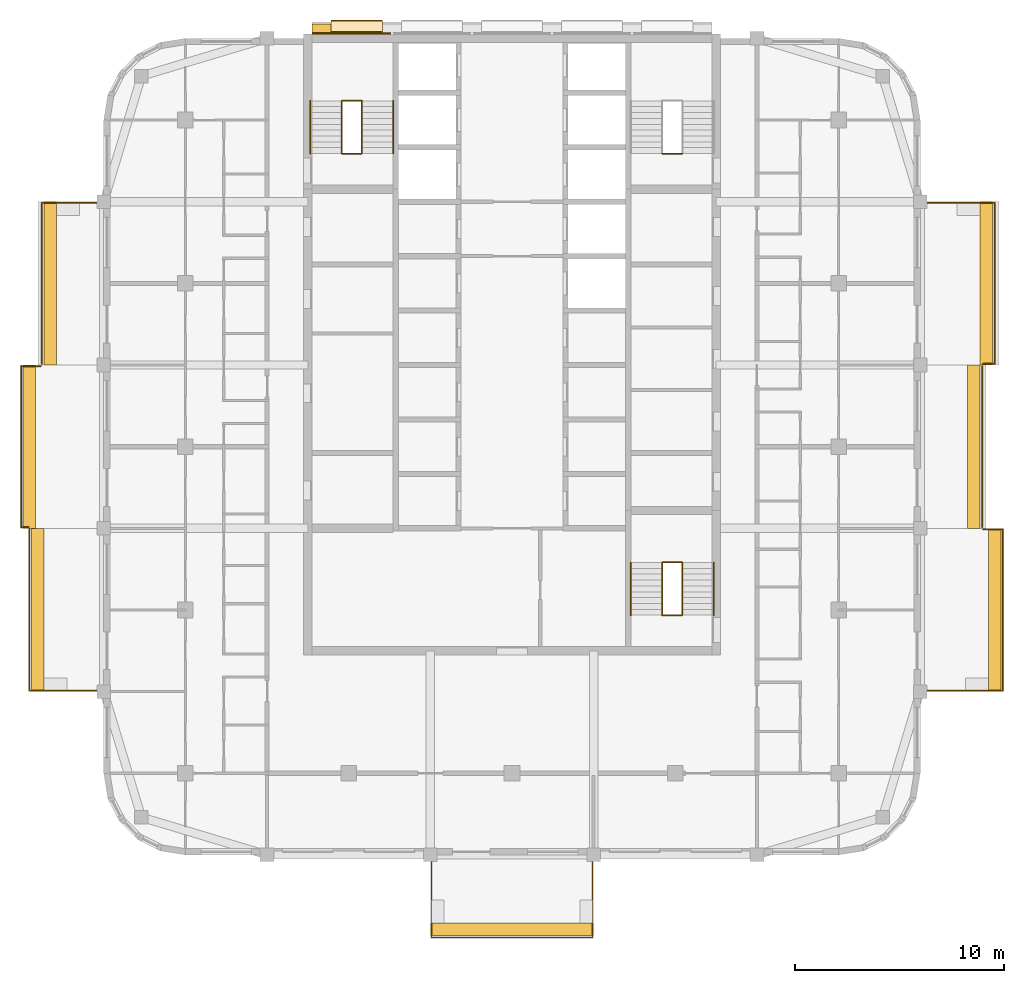
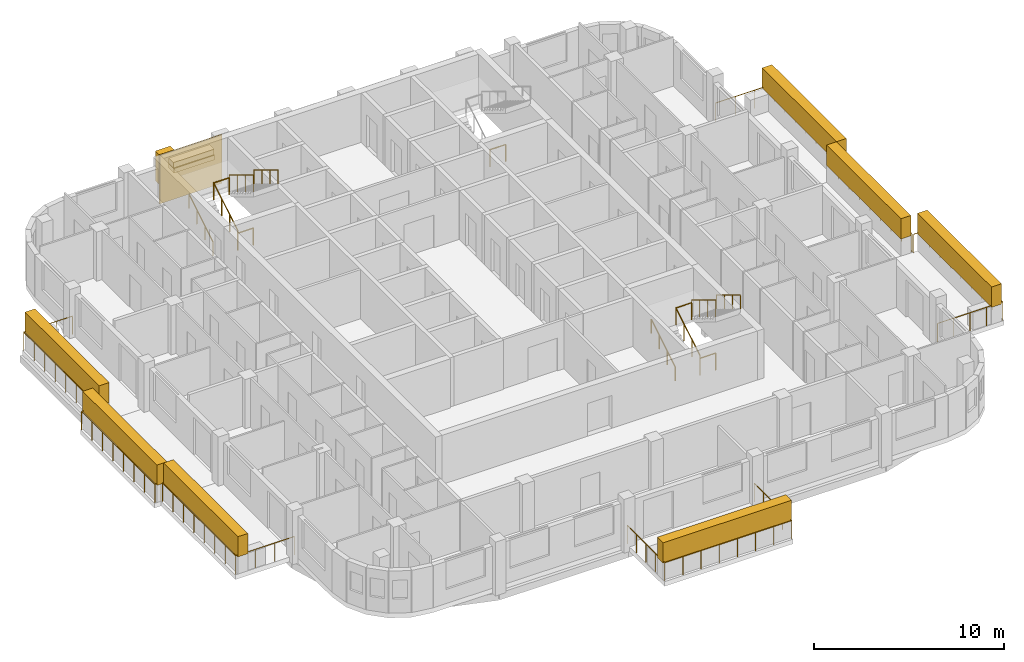
# One storey, part 12 of 13: 20 railings, 11 coverings, 3 elements without a shape of their own.
"""IFC4 building model written with IfcOpenShell, lengths in metres."""

from ifc_helpers import new_model, si_unit, direction, frame, origin, origin_2d, place, context, subcontext, project, spatial, rectangle, circle, extrude, material, layer, layer_set, type_object, element, aggregate, save


model = new_model("IFC4")

# Units and contexts
model_context = context("Model", 3, precision=1e-05, world=origin(), true_north=direction((0.0, 1.0)))
body_context = subcontext(model_context, "Body", "Model", "MODEL_VIEW")
ifc_project = project(units=[si_unit("LENGTHUNIT", "METRE"), si_unit("AREAUNIT", "SQUARE_METRE"), si_unit("VOLUMEUNIT", "CUBIC_METRE"), si_unit("PLANEANGLEUNIT", "RADIAN"), si_unit("MASSUNIT", "GRAM", prefix="KILO")], contexts=[model_context])

# Site, building, storey
site_placement = place(None, origin())
site = spatial("IfcSite", under=ifc_project, at=site_placement, CompositionType="ELEMENT")
building_placement = place(site_placement, origin())
building = spatial("IfcBuilding", under=site, at=building_placement, Name="Ludao Terraces", CompositionType="ELEMENT")
storey_placement = place(building_placement, frame((0.0, 0.0, 246.0)))
storey = spatial("IfcBuildingStorey", under=building, at=storey_placement, Name="L67", CompositionType="ELEMENT", Elevation=246.0)

# Railings
ifc_material_1 = material(Name="Stainless steel 304", Category="steel")
railing_type_1 = type_object("IfcRailingType", Name="ENV Balcony glass guard 1200", PredefinedType="GUARDRAIL", material=ifc_material_1)
railing_1_placement = place(storey_placement, frame((81.14990234375, 45.5, 0.0)))
element("IfcRailing", 1, at=railing_1_placement, inside=storey, type_object=railing_type_1, Name="Balcony guard L67 S1", PredefinedType="GUARDRAIL", context=body_context, shape_type="SweptSolid", body=[
    extrude(circle(Radius=0.02392578125, at=origin_2d()), frame((0.0, 0.0, 1.17578125), z_axis=(0.0, -1.0, 0.0), x_axis=(1.0, 0.0, 0.0)), (0.0, 0.0, 1.0), 3.949951171875),
    extrude(circle(Radius=0.02392578125, at=origin_2d()), frame((0.0, -3.949951171875, 1.17578125), z_axis=(1.0, 0.0, 0.0), x_axis=(0.0, 1.0, 0.0)), (0.0, 0.0, 1.0), 7.7001953125),
    extrude(circle(Radius=0.02392578125, at=origin_2d()), frame((7.7001953125, -3.949951171875, 1.17578125), z_axis=(0.0, 1.0, 0.0), x_axis=(-1.0, 0.0, 0.0)), (0.0, 0.0, 1.0), 3.949951171875),
    extrude(circle(Radius=0.02099609375, at=origin_2d()), origin(), (0.0, 0.0, 1.0), 1.15185546875),
    extrude(circle(Radius=0.02099609375, at=origin_2d()), frame((0.0, -0.987548828125, 0.0)), (0.0, 0.0, 1.0), 1.15185546875),
    extrude(circle(Radius=0.02099609375, at=origin_2d()), frame((0.0, -1.97509765625, 0.0)), (0.0, 0.0, 1.0), 1.15185546875),
    extrude(circle(Radius=0.02099609375, at=origin_2d()), frame((0.0, -2.96240234375, 0.0)), (0.0, 0.0, 1.0), 1.15185546875),
    extrude(circle(Radius=0.02099609375, at=origin_2d()), frame((0.0, -3.949951171875, 0.0)), (0.0, 0.0, 1.0), 1.15185546875),
    extrude(circle(Radius=0.02099609375, at=origin_2d()), frame((1.10009765625, -3.949951171875, 0.0)), (0.0, 0.0, 1.0), 1.15185546875),
    extrude(circle(Radius=0.02099609375, at=origin_2d()), frame((2.199951171875, -3.949951171875, 0.0)), (0.0, 0.0, 1.0), 1.15185546875),
    extrude(circle(Radius=0.02099609375, at=origin_2d()), frame((3.300048828125, -3.949951171875, 0.0)), (0.0, 0.0, 1.0), 1.15185546875),
    extrude(circle(Radius=0.02099609375, at=origin_2d()), frame((4.400146484375, -3.949951171875, 0.0)), (0.0, 0.0, 1.0), 1.15185546875),
    extrude(circle(Radius=0.02099609375, at=origin_2d()), frame((5.500244140625, -3.949951171875, 0.0)), (0.0, 0.0, 1.0), 1.15185546875),
    extrude(circle(Radius=0.02099609375, at=origin_2d()), frame((6.60009765625, -3.949951171875, 0.0)), (0.0, 0.0, 1.0), 1.15185546875),
    extrude(circle(Radius=0.02099609375, at=origin_2d()), frame((7.7001953125, -3.949951171875, 0.0)), (0.0, 0.0, 1.0), 1.15185546875),
    extrude(circle(Radius=0.02099609375, at=origin_2d()), frame((7.7001953125, -2.96240234375, 0.0)), (0.0, 0.0, 1.0), 1.15185546875),
    extrude(circle(Radius=0.02099609375, at=origin_2d()), frame((7.7001953125, -1.97509765625, 0.0)), (0.0, 0.0, 1.0), 1.15185546875),
    extrude(circle(Radius=0.02099609375, at=origin_2d()), frame((7.7001953125, -0.987548828125, 0.0)), (0.0, 0.0, 1.0), 1.15185546875),
    extrude(circle(Radius=0.02099609375, at=origin_2d()), frame((7.7001953125, 0.0, 0.0)), (0.0, 0.0, 1.0), 1.15185546875),
])
railing_2_placement = place(storey_placement, frame((104.5, 53.35009765625, 0.0)))
element("IfcRailing", 2, at=railing_2_placement, inside=storey, type_object=railing_type_1, Name="Balcony guard L67 E1", PredefinedType="GUARDRAIL", context=body_context, shape_type="SweptSolid", body=[
    extrude(circle(Radius=0.02392578125, at=origin_2d()), frame((0.0, 0.0, 1.17578125), z_axis=(1.0, 0.0, 0.0), x_axis=(0.0, 1.0, 0.0)), (0.0, 0.0, 1.0), 3.949951171875),
    extrude(circle(Radius=0.02392578125, at=origin_2d()), frame((3.949951171875, 0.0, 1.17578125), z_axis=(0.0, 1.0, 0.0), x_axis=(-1.0, 0.0, 0.0)), (0.0, 0.0, 1.0), 7.699951171875),
    extrude(circle(Radius=0.02392578125, at=origin_2d()), frame((3.949951171875, 7.699951171875, 1.17578125), z_axis=(-1.0, 0.0, 0.0), x_axis=(0.0, -1.0, 0.0)), (0.0, 0.0, 1.0), 0.949951171875),
    extrude(circle(Radius=0.02099609375, at=origin_2d()), origin(), (0.0, 0.0, 1.0), 1.15185546875),
    extrude(circle(Radius=0.02099609375, at=origin_2d()), frame((0.987548828125, 0.0, 0.0)), (0.0, 0.0, 1.0), 1.15185546875),
    extrude(circle(Radius=0.02099609375, at=origin_2d()), frame((1.97509765625, 0.0, 0.0)), (0.0, 0.0, 1.0), 1.15185546875),
    extrude(circle(Radius=0.02099609375, at=origin_2d()), frame((2.96240234375, 0.0, 0.0)), (0.0, 0.0, 1.0), 1.15185546875),
    extrude(circle(Radius=0.02099609375, at=origin_2d()), frame((3.949951171875, 0.0, 0.0)), (0.0, 0.0, 1.0), 1.15185546875),
    extrude(circle(Radius=0.02099609375, at=origin_2d()), frame((3.949951171875, 1.10009765625, 0.0)), (0.0, 0.0, 1.0), 1.15185546875),
    extrude(circle(Radius=0.02099609375, at=origin_2d()), frame((3.949951171875, 2.199951171875, 0.0)), (0.0, 0.0, 1.0), 1.15185546875),
    extrude(circle(Radius=0.02099609375, at=origin_2d()), frame((3.949951171875, 3.300048828125, 0.0)), (0.0, 0.0, 1.0), 1.15185546875),
    extrude(circle(Radius=0.02099609375, at=origin_2d()), frame((3.949951171875, 4.39990234375, 0.0)), (0.0, 0.0, 1.0), 1.15185546875),
    extrude(circle(Radius=0.02099609375, at=origin_2d()), frame((3.949951171875, 5.5, 0.0)), (0.0, 0.0, 1.0), 1.15185546875),
    extrude(circle(Radius=0.02099609375, at=origin_2d()), frame((3.949951171875, 6.599853515625, 0.0)), (0.0, 0.0, 1.0), 1.15185546875),
    extrude(circle(Radius=0.02099609375, at=origin_2d()), frame((3.949951171875, 7.699951171875, 0.0)), (0.0, 0.0, 1.0), 1.15185546875),
    extrude(circle(Radius=0.02099609375, at=origin_2d()), frame((3.0, 7.699951171875, 0.0)), (0.0, 0.0, 1.0), 1.15185546875),
])
railing_3_placement = place(storey_placement, frame((107.449951171875, 61.14990234375, 0.0)))
element("IfcRailing", 3, at=railing_3_placement, inside=storey, type_object=railing_type_1, Name="Balcony guard L67 E2", PredefinedType="GUARDRAIL", context=body_context, shape_type="SweptSolid", body=[
    extrude(circle(Radius=0.02392578125, at=origin_2d()), frame((0.0, 0.0, 1.17578125), z_axis=(0.0, 1.0, 0.0), x_axis=(-1.0, 0.0, 0.0)), (0.0, 0.0, 1.0), 7.7001953125),
    extrude(circle(Radius=0.02099609375, at=origin_2d()), origin(), (0.0, 0.0, 1.0), 1.15185546875),
    extrude(circle(Radius=0.02099609375, at=origin_2d()), frame((0.0, 1.10009765625, 0.0)), (0.0, 0.0, 1.0), 1.15185546875),
    extrude(circle(Radius=0.02099609375, at=origin_2d()), frame((0.0, 2.199951171875, 0.0)), (0.0, 0.0, 1.0), 1.15185546875),
    extrude(circle(Radius=0.02099609375, at=origin_2d()), frame((0.0, 3.300048828125, 0.0)), (0.0, 0.0, 1.0), 1.15185546875),
    extrude(circle(Radius=0.02099609375, at=origin_2d()), frame((0.0, 4.400146484375, 0.0)), (0.0, 0.0, 1.0), 1.15185546875),
    extrude(circle(Radius=0.02099609375, at=origin_2d()), frame((0.0, 5.500244140625, 0.0)), (0.0, 0.0, 1.0), 1.15185546875),
    extrude(circle(Radius=0.02099609375, at=origin_2d()), frame((0.0, 6.60009765625, 0.0)), (0.0, 0.0, 1.0), 1.15185546875),
    extrude(circle(Radius=0.02099609375, at=origin_2d()), frame((0.0, 7.7001953125, 0.0)), (0.0, 0.0, 1.0), 1.15185546875),
])
railing_4_placement = place(storey_placement, frame((107.5, 68.949951171875, 0.0)))
element("IfcRailing", 4, at=railing_4_placement, inside=storey, type_object=railing_type_1, Name="Balcony guard L67 E3", PredefinedType="GUARDRAIL", context=body_context, shape_type="SweptSolid", body=[
    extrude(circle(Radius=0.02392578125, at=origin_2d()), frame((0.0, 0.0, 1.17578125), z_axis=(1.0, 0.0, 0.0), x_axis=(0.0, 1.0, 0.0)), (0.0, 0.0, 1.0), 0.550048828125),
    extrude(circle(Radius=0.02392578125, at=origin_2d()), frame((0.550048828125, 0.0, 1.17578125), z_axis=(0.0, 1.0, 0.0), x_axis=(-1.0, 0.0, 0.0)), (0.0, 0.0, 1.0), 7.699951171875),
    extrude(circle(Radius=0.02392578125, at=origin_2d()), frame((0.550048828125, 7.699951171875, 1.17578125), z_axis=(-1.0, 0.0, 0.0), x_axis=(0.0, -1.0, 0.0)), (0.0, 0.0, 1.0), 3.550048828125),
    extrude(circle(Radius=0.02099609375, at=origin_2d()), origin(), (0.0, 0.0, 1.0), 1.15185546875),
    extrude(circle(Radius=0.02099609375, at=origin_2d()), frame((0.550048828125, 0.0, 0.0)), (0.0, 0.0, 1.0), 1.15185546875),
    extrude(circle(Radius=0.02099609375, at=origin_2d()), frame((0.550048828125, 1.10009765625, 0.0)), (0.0, 0.0, 1.0), 1.15185546875),
    extrude(circle(Radius=0.02099609375, at=origin_2d()), frame((0.550048828125, 2.199951171875, 0.0)), (0.0, 0.0, 1.0), 1.15185546875),
    extrude(circle(Radius=0.02099609375, at=origin_2d()), frame((0.550048828125, 3.300048828125, 0.0)), (0.0, 0.0, 1.0), 1.15185546875),
    extrude(circle(Radius=0.02099609375, at=origin_2d()), frame((0.550048828125, 4.39990234375, 0.0)), (0.0, 0.0, 1.0), 1.15185546875),
    extrude(circle(Radius=0.02099609375, at=origin_2d()), frame((0.550048828125, 5.5, 0.0)), (0.0, 0.0, 1.0), 1.15185546875),
    extrude(circle(Radius=0.02099609375, at=origin_2d()), frame((0.550048828125, 6.599853515625, 0.0)), (0.0, 0.0, 1.0), 1.15185546875),
    extrude(circle(Radius=0.02099609375, at=origin_2d()), frame((0.550048828125, 7.699951171875, 0.0)), (0.0, 0.0, 1.0), 1.15185546875),
    extrude(circle(Radius=0.02099609375, at=origin_2d()), frame((-0.63330078125, 7.699951171875, 0.0)), (0.0, 0.0, 1.0), 1.15185546875),
    extrude(circle(Radius=0.02099609375, at=origin_2d()), frame((-1.816650390625, 7.699951171875, 0.0)), (0.0, 0.0, 1.0), 1.15185546875),
    extrude(circle(Radius=0.02099609375, at=origin_2d()), frame((-3.0, 7.699951171875, 0.0)), (0.0, 0.0, 1.0), 1.15185546875),
])
railing_5_placement = place(storey_placement, frame((65.5, 53.35009765625, 0.0)))
element("IfcRailing", 5, at=railing_5_placement, inside=storey, type_object=railing_type_1, Name="Balcony guard L67 W1", PredefinedType="GUARDRAIL", context=body_context, shape_type="SweptSolid", body=[
    extrude(circle(Radius=0.02392578125, at=origin_2d()), frame((0.0, 0.0, 1.17578125), z_axis=(-1.0, 0.0, 0.0), x_axis=(0.0, -1.0, 0.0)), (0.0, 0.0, 1.0), 3.550048828125),
    extrude(circle(Radius=0.02392578125, at=origin_2d()), frame((-3.550048828125, 0.0, 1.17578125), z_axis=(0.0, 1.0, 0.0), x_axis=(-1.0, 0.0, 0.0)), (0.0, 0.0, 1.0), 7.699951171875),
    extrude(circle(Radius=0.02099609375, at=origin_2d()), origin(), (0.0, 0.0, 1.0), 1.15185546875),
    extrude(circle(Radius=0.02099609375, at=origin_2d()), frame((-1.183349609375, 0.0, 0.0)), (0.0, 0.0, 1.0), 1.15185546875),
    extrude(circle(Radius=0.02099609375, at=origin_2d()), frame((-2.36669921875, 0.0, 0.0)), (0.0, 0.0, 1.0), 1.15185546875),
    extrude(circle(Radius=0.02099609375, at=origin_2d()), frame((-3.550048828125, 0.0, 0.0)), (0.0, 0.0, 1.0), 1.15185546875),
    extrude(circle(Radius=0.02099609375, at=origin_2d()), frame((-3.550048828125, 1.10009765625, 0.0)), (0.0, 0.0, 1.0), 1.15185546875),
    extrude(circle(Radius=0.02099609375, at=origin_2d()), frame((-3.550048828125, 2.199951171875, 0.0)), (0.0, 0.0, 1.0), 1.15185546875),
    extrude(circle(Radius=0.02099609375, at=origin_2d()), frame((-3.550048828125, 3.300048828125, 0.0)), (0.0, 0.0, 1.0), 1.15185546875),
    extrude(circle(Radius=0.02099609375, at=origin_2d()), frame((-3.550048828125, 4.39990234375, 0.0)), (0.0, 0.0, 1.0), 1.15185546875),
    extrude(circle(Radius=0.02099609375, at=origin_2d()), frame((-3.550048828125, 5.5, 0.0)), (0.0, 0.0, 1.0), 1.15185546875),
    extrude(circle(Radius=0.02099609375, at=origin_2d()), frame((-3.550048828125, 6.599853515625, 0.0)), (0.0, 0.0, 1.0), 1.15185546875),
    extrude(circle(Radius=0.02099609375, at=origin_2d()), frame((-3.550048828125, 7.699951171875, 0.0)), (0.0, 0.0, 1.0), 1.15185546875),
])
railing_6_placement = place(storey_placement, frame((61.89990234375, 61.14990234375, 0.0)))
element("IfcRailing", 6, at=railing_6_placement, inside=storey, type_object=railing_type_1, Name="Balcony guard L67 W2", PredefinedType="GUARDRAIL", context=body_context, shape_type="SweptSolid", body=[
    extrude(circle(Radius=0.02392578125, at=origin_2d()), frame((0.0, 0.0, 1.17578125), z_axis=(-1.0, 0.0, 0.0), x_axis=(0.0, -1.0, 0.0)), (0.0, 0.0, 1.0), 0.349853515625),
    extrude(circle(Radius=0.02392578125, at=origin_2d()), frame((-0.349853515625, 0.0, 1.17578125), z_axis=(0.0, 1.0, 0.0), x_axis=(-1.0, 0.0, 0.0)), (0.0, 0.0, 1.0), 7.7001953125),
    extrude(circle(Radius=0.02392578125, at=origin_2d()), frame((-0.349853515625, 7.7001953125, 1.17578125), z_axis=(1.0, 0.0, 0.0), x_axis=(0.0, 1.0, 0.0)), (0.0, 0.0, 1.0), 0.949951171875),
    extrude(circle(Radius=0.02099609375, at=origin_2d()), origin(), (0.0, 0.0, 1.0), 1.15185546875),
    extrude(circle(Radius=0.02099609375, at=origin_2d()), frame((-0.349853515625, 0.0, 0.0)), (0.0, 0.0, 1.0), 1.15185546875),
    extrude(circle(Radius=0.02099609375, at=origin_2d()), frame((-0.349853515625, 1.10009765625, 0.0)), (0.0, 0.0, 1.0), 1.15185546875),
    extrude(circle(Radius=0.02099609375, at=origin_2d()), frame((-0.349853515625, 2.199951171875, 0.0)), (0.0, 0.0, 1.0), 1.15185546875),
    extrude(circle(Radius=0.02099609375, at=origin_2d()), frame((-0.349853515625, 3.300048828125, 0.0)), (0.0, 0.0, 1.0), 1.15185546875),
    extrude(circle(Radius=0.02099609375, at=origin_2d()), frame((-0.349853515625, 4.400146484375, 0.0)), (0.0, 0.0, 1.0), 1.15185546875),
    extrude(circle(Radius=0.02099609375, at=origin_2d()), frame((-0.349853515625, 5.500244140625, 0.0)), (0.0, 0.0, 1.0), 1.15185546875),
    extrude(circle(Radius=0.02099609375, at=origin_2d()), frame((-0.349853515625, 6.60009765625, 0.0)), (0.0, 0.0, 1.0), 1.15185546875),
    extrude(circle(Radius=0.02099609375, at=origin_2d()), frame((-0.349853515625, 7.7001953125, 0.0)), (0.0, 0.0, 1.0), 1.15185546875),
    extrude(circle(Radius=0.02099609375, at=origin_2d()), frame((0.60009765625, 7.7001953125, 0.0)), (0.0, 0.0, 1.0), 1.15185546875),
])
railing_7_placement = place(storey_placement, frame((62.550048828125, 68.949951171875, 0.0)))
element("IfcRailing", 7, at=railing_7_placement, inside=storey, type_object=railing_type_1, Name="Balcony guard L67 W3", PredefinedType="GUARDRAIL", context=body_context, shape_type="SweptSolid", body=[
    extrude(circle(Radius=0.02392578125, at=origin_2d()), frame((0.0, 0.0, 1.17578125), z_axis=(0.0, 1.0, 0.0), x_axis=(-1.0, 0.0, 0.0)), (0.0, 0.0, 1.0), 7.699951171875),
    extrude(circle(Radius=0.02392578125, at=origin_2d()), frame((0.0, 7.699951171875, 1.17578125), z_axis=(1.0, 0.0, 0.0), x_axis=(0.0, 1.0, 0.0)), (0.0, 0.0, 1.0), 2.949951171875),
    extrude(circle(Radius=0.02099609375, at=origin_2d()), origin(), (0.0, 0.0, 1.0), 1.15185546875),
    extrude(circle(Radius=0.02099609375, at=origin_2d()), frame((0.0, 1.10009765625, 0.0)), (0.0, 0.0, 1.0), 1.15185546875),
    extrude(circle(Radius=0.02099609375, at=origin_2d()), frame((0.0, 2.199951171875, 0.0)), (0.0, 0.0, 1.0), 1.15185546875),
    extrude(circle(Radius=0.02099609375, at=origin_2d()), frame((0.0, 3.300048828125, 0.0)), (0.0, 0.0, 1.0), 1.15185546875),
    extrude(circle(Radius=0.02099609375, at=origin_2d()), frame((0.0, 4.39990234375, 0.0)), (0.0, 0.0, 1.0), 1.15185546875),
    extrude(circle(Radius=0.02099609375, at=origin_2d()), frame((0.0, 5.5, 0.0)), (0.0, 0.0, 1.0), 1.15185546875),
    extrude(circle(Radius=0.02099609375, at=origin_2d()), frame((0.0, 6.599853515625, 0.0)), (0.0, 0.0, 1.0), 1.15185546875),
    extrude(circle(Radius=0.02099609375, at=origin_2d()), frame((0.0, 7.699951171875, 0.0)), (0.0, 0.0, 1.0), 1.15185546875),
    extrude(circle(Radius=0.02099609375, at=origin_2d()), frame((0.9833984375, 7.699951171875, 0.0)), (0.0, 0.0, 1.0), 1.15185546875),
    extrude(circle(Radius=0.02099609375, at=origin_2d()), frame((1.966552734375, 7.699951171875, 0.0)), (0.0, 0.0, 1.0), 1.15185546875),
    extrude(circle(Radius=0.02099609375, at=origin_2d()), frame((2.949951171875, 7.699951171875, 0.0)), (0.0, 0.0, 1.0), 1.15185546875),
])

# Coverings
ifc_material_2 = material(Name="Granite cladding", Category="masonry")
ifc_layer_1 = layer(ifc_material_2, 0.39990234375)
ifc_layer_set_1 = layer_set([ifc_layer_1], Name="ENV Core pilaster stone 400")
covering_type_1 = type_object("IfcCoveringType", Name="ENV Core pilaster stone 400", PredefinedType="CLADDING", material=ifc_layer_set_1)
covering_1_placement = place(storey_placement, frame((75.89990234375, 84.97998046875, 1.199951171875), z_axis=(0.0, 0.0, 1.0), x_axis=(1.0, 0.0, 0.0)))
element("IfcCovering", 8, at=covering_1_placement, inside=storey, type_object=covering_type_1, Name="CC-L67-PIL1", PredefinedType="CLADDING", context=body_context, shape_type="SweptSolid", body=[
    extrude(rectangle(XDim=0.89990234375, YDim=0.39990234375, at=origin_2d()), origin(), (0.0, 0.0, 1.0), 1.89990234375),
])
ifc_layer_2 = layer(ifc_material_2, 0.60009765625)
ifc_layer_set_2 = layer_set([ifc_layer_2], Name="ENV Core planting shelf stone 600")
covering_type_2 = type_object("IfcCoveringType", Name="ENV Core planting shelf stone 600", PredefinedType="CLADDING", material=ifc_layer_set_2)
covering_2_placement = place(storey_placement, frame((77.5849609375, 85.080078125, 1.60009765625), z_axis=(0.0, 0.0, 1.0), x_axis=(1.0, 0.0, 0.0)))
element("IfcCovering", 9, at=covering_2_placement, inside=storey, type_object=covering_type_2, Name="CC-L67-SHELF1", PredefinedType="CLADDING", context=body_context, shape_type="SweptSolid", body=[
    extrude(rectangle(XDim=2.469970703125, YDim=0.60009765625, at=origin_2d()), origin(), (0.0, 0.0, 1.0), 0.300048828125),
])
ifc_layer_3 = layer(ifc_material_2, 0.080078125)
ifc_layer_set_3 = layer_set([ifc_layer_3], Name="ENV Core stone cladding panel 80")
covering_type_3 = type_object("IfcCoveringType", Name="ENV Core stone cladding panel 80", PredefinedType="CLADDING", material=ifc_layer_set_3)
covering_3_placement = place(storey_placement, frame((77.3349609375, 84.739990234375, 0.0), z_axis=(0.0, 0.0, 1.0), x_axis=(1.0, 0.0, 0.0)))
element("IfcCovering", 10, at=covering_3_placement, inside=storey, type_object=covering_type_3, Name="CC-L67-CORE1", PredefinedType="CLADDING", context=body_context, shape_type="SweptSolid", body=[
    extrude(rectangle(XDim=3.77001953125, YDim=0.080078125, at=origin_2d()), origin(), (0.0, 0.0, 1.0), 3.10009765625),
])
ifc_material_3 = material(Name="Planting")
ifc_layer_4 = layer(ifc_material_3, 0.60009765625)
ifc_layer_set_4 = layer_set([ifc_layer_4], Name="ENV Planting hedge 600x1300")
covering_type_4 = type_object("IfcCoveringType", Name="ENV Planting hedge 600x1300", PredefinedType="USERDEFINED", material=ifc_layer_set_4)
covering_4_placement = place(storey_placement, frame((85.0, 41.949951171875, 1.10009765625), z_axis=(0.0, 0.0, 1.0), x_axis=(1.0, 0.0, 0.0)))
element("IfcCovering", 11, at=covering_4_placement, inside=storey, type_object=covering_type_4, Name="Planting hedge L67-S1", ObjectType="PLANTING", PredefinedType="USERDEFINED", context=body_context, shape_type="SweptSolid", body=[
    extrude(rectangle(XDim=7.800048828125, YDim=0.60009765625, at=origin_2d()), origin(), (0.0, 0.0, 1.0), 1.300048828125),
])
for number, where, z_axis, x_axis, name in (
    (12, (108.050048828125, 57.199951171875, 1.10009765625), (0.0, 0.0, 1.0), (1.0, 0.0, 0.0), "Planting hedge L67-E1"),
    (13, (107.050048828125, 65.0, 1.10009765625), (0.0, 0.0, 1.0), (1.0, 0.0, 0.0), "Planting hedge L67-E2"),
    (14, (107.64990234375, 72.800048828125, 1.10009765625), (0.0, 0.0, 1.0), (1.0, 0.0, 0.0), "Planting hedge L67-E3"),
    (15, (62.35009765625, 57.199951171875, 1.10009765625), (0.0, 0.0, 1.0), (1.0, 0.0, 0.0), "Planting hedge L67-W1"),
    (16, (61.949951171875, 65.0, 1.10009765625), (0.0, 0.0, 1.0), (1.0, 0.0, 0.0), "Planting hedge L67-W2"),
    (17, (62.949951171875, 72.800048828125, 1.10009765625), (0.0, 0.0, 1.0), (1.0, 0.0, 0.0), "Planting hedge L67-W3"),
):
    element("IfcCovering", number, at=place(storey_placement, frame(where, z_axis=z_axis, x_axis=x_axis)), inside=storey, type_object=covering_type_4, Name=name, ObjectType="PLANTING", PredefinedType="USERDEFINED", context=body_context, shape_type="SweptSolid", body=[
        extrude(rectangle(XDim=0.60009765625, YDim=7.800048828125, at=origin_2d()), origin(), (0.0, 0.0, 1.0), 1.300048828125),
    ])
ifc_layer_5 = layer(ifc_material_3, 0.5)
ifc_layer_set_5 = layer_set([ifc_layer_5], Name="ENV Shelf planting bed 350")
covering_type_5 = type_object("IfcCoveringType", Name="ENV Shelf planting bed 350", PredefinedType="USERDEFINED", material=ifc_layer_set_5)
covering_5_placement = place(storey_placement, frame((77.5849609375, 85.080078125, 1.89990234375), z_axis=(0.0, 0.0, 1.0), x_axis=(1.0, 0.0, 0.0)))
element("IfcCovering", 18, at=covering_5_placement, inside=storey, type_object=covering_type_5, Name="Shelf planting bed L67 1", ObjectType="PLANTING", PredefinedType="USERDEFINED", context=body_context, shape_type="SweptSolid", body=[
    extrude(rectangle(XDim=2.469970703125, YDim=0.5, at=origin_2d()), origin(), (0.0, 0.0, 1.0), 0.35009765625),
])

# Stair, railings
ifc_material_4 = material(Name="Concrete C40", Category="concrete")
stair_type = type_object("IfcStairType", Name="INT Stair", PredefinedType="HALF_TURN_STAIR", material=ifc_material_4)
stair_1_placement = place(storey_placement, origin())
stair_1 = element("IfcStair", 19, at=stair_1_placement, inside=storey, type_object=stair_type, Name="EXIT STAIR 1", PredefinedType="HALF_TURN_STAIR")
railing_type_2 = type_object("IfcRailingType", Name="INT Stair guard 1100", PredefinedType="GUARDRAIL", material=ifc_material_1)
railing_8_placement = place(storey_placement, frame((76.875, 79.0, 0.169921875)))
railing_8 = element("IfcRailing", 20, at=railing_8_placement, type_object=railing_type_2, Name="ST-L67-S1-R1G", PredefinedType="GUARDRAIL", context=body_context, shape_type="SweptSolid", body=[
    extrude(circle(Radius=0.02392578125, at=origin_2d()), frame((0.0, 0.0, 1.076171875), z_axis=(0.0, 0.85478489116, 0.518982456201), x_axis=(-1.0, 0.0, 0.0)), (0.0, 0.0, 1.0), 2.9482421875),
    extrude(circle(Radius=0.02099609375, at=origin_2d()), origin(), (0.0, 0.0, 1.0), 1.052001953125),
    extrude(circle(Radius=0.02099609375, at=origin_2d()), frame((0.0, 0.840087890625, 0.510009765625)), (0.0, 0.0, 1.0), 1.052001953125),
    extrude(circle(Radius=0.02099609375, at=origin_2d()), frame((0.0, 1.679931640625, 1.02001953125)), (0.0, 0.0, 1.0), 1.052001953125),
    extrude(circle(Radius=0.02099609375, at=origin_2d()), frame((0.0, 2.52001953125, 1.530029296875)), (0.0, 0.0, 1.0), 1.052001953125),
])
railing_9_placement = place(storey_placement, frame((77.824951171875, 81.52001953125, 1.8701171875)))
railing_9 = element("IfcRailing", 21, at=railing_9_placement, type_object=railing_type_2, Name="ST-L67-S1-R2G", PredefinedType="GUARDRAIL", context=body_context, shape_type="SweptSolid", body=[
    extrude(circle(Radius=0.02392578125, at=origin_2d()), frame((0.0, 0.0, 1.076171875), z_axis=(0.0, -0.854821627497, 0.518921945155), x_axis=(1.0, 0.0, 0.0)), (0.0, 0.0, 1.0), 2.947998046875),
    extrude(circle(Radius=0.02099609375, at=origin_2d()), origin(), (0.0, 0.0, 1.0), 1.052001953125),
    extrude(circle(Radius=0.02099609375, at=origin_2d()), frame((0.0, -0.840087890625, 0.510009765625)), (0.0, 0.0, 1.0), 1.052001953125),
    extrude(circle(Radius=0.02099609375, at=origin_2d()), frame((0.0, -1.679931640625, 1.019775390625)), (0.0, 0.0, 1.0), 1.052001953125),
    extrude(circle(Radius=0.02099609375, at=origin_2d()), frame((0.0, -2.52001953125, 1.52978515625)), (0.0, 0.0, 1.0), 1.052001953125),
])
railing_10_placement = place(storey_placement, frame((76.875, 81.52001953125, 1.699951171875)))
railing_10 = element("IfcRailing", 22, at=railing_10_placement, type_object=railing_type_2, Name="ST-L67-S1-E1G", PredefinedType="GUARDRAIL", context=body_context, shape_type="SweptSolid", body=[
    extrude(circle(Radius=0.02392578125, at=origin_2d()), frame((0.0, 0.0, 1.076171875), z_axis=(1.0, 0.0, 0.0), x_axis=(0.0, 1.0, 0.0)), (0.0, 0.0, 1.0), 0.949951171875),
    extrude(circle(Radius=0.02099609375, at=origin_2d()), origin(), (0.0, 0.0, 1.0), 1.052001953125),
    extrude(circle(Radius=0.02099609375, at=origin_2d()), frame((0.949951171875, 0.0, 0.0)), (0.0, 0.0, 1.0), 1.052001953125),
])
railing_11_placement = place(storey_placement, frame((76.875, 79.0, 0.0)))
railing_11 = element("IfcRailing", 23, at=railing_11_placement, type_object=railing_type_2, Name="ST-L67-S1-E2G", PredefinedType="GUARDRAIL", context=body_context, shape_type="SweptSolid", body=[
    extrude(circle(Radius=0.02392578125, at=origin_2d()), frame((0.0, 0.0, 1.076171875), z_axis=(1.0, 0.0, 0.0), x_axis=(0.0, 1.0, 0.0)), (0.0, 0.0, 1.0), 0.949951171875),
    extrude(circle(Radius=0.02099609375, at=origin_2d()), origin(), (0.0, 0.0, 1.0), 1.052001953125),
    extrude(circle(Radius=0.02099609375, at=origin_2d()), frame((0.949951171875, 0.0, 0.0)), (0.0, 0.0, 1.0), 1.052001953125),
])

# Stair, railing
stair_2_placement = place(storey_placement, origin())
stair_2 = element("IfcStair", 24, at=stair_2_placement, inside=storey, type_object=stair_type, Name="EXIT STAIR 2", PredefinedType="HALF_TURN_STAIR")
railing_12_placement = place(storey_placement, frame((92.175048828125, 79.0, 0.0)))
railing_12 = element("IfcRailing", 25, at=railing_12_placement, type_object=railing_type_2, Name="ST-L67-S2-E2G", PredefinedType="GUARDRAIL", context=body_context, shape_type="SweptSolid", body=[
    extrude(circle(Radius=0.02392578125, at=origin_2d()), frame((0.0, 0.0, 1.076171875), z_axis=(1.0, 0.0, 0.0), x_axis=(0.0, 1.0, 0.0)), (0.0, 0.0, 1.0), 0.949951171875),
    extrude(circle(Radius=0.02099609375, at=origin_2d()), origin(), (0.0, 0.0, 1.0), 1.052001953125),
    extrude(circle(Radius=0.02099609375, at=origin_2d()), frame((0.949951171875, 0.0, 0.0)), (0.0, 0.0, 1.0), 1.052001953125),
])
aggregate(stair_2, [railing_12])

# Stair, railings
stair_3_placement = place(storey_placement, origin())
stair_3 = element("IfcStair", 26, at=stair_3_placement, inside=storey, type_object=stair_type, Name="EXIT STAIR 3", PredefinedType="HALF_TURN_STAIR")
railing_13_placement = place(storey_placement, frame((92.175048828125, 56.949951171875, 0.169921875)))
railing_13 = element("IfcRailing", 27, at=railing_13_placement, type_object=railing_type_2, Name="ST-L67-S3-R1G", PredefinedType="GUARDRAIL", context=body_context, shape_type="SweptSolid", body=[
    extrude(circle(Radius=0.02392578125, at=origin_2d()), frame((0.0, 0.0, 1.076171875), z_axis=(0.0, 0.85478489116, 0.518982456201), x_axis=(-1.0, 0.0, 0.0)), (0.0, 0.0, 1.0), 2.9482421875),
    extrude(circle(Radius=0.02099609375, at=origin_2d()), origin(), (0.0, 0.0, 1.0), 1.052001953125),
    extrude(circle(Radius=0.02099609375, at=origin_2d()), frame((0.0, 0.840087890625, 0.510009765625)), (0.0, 0.0, 1.0), 1.052001953125),
    extrude(circle(Radius=0.02099609375, at=origin_2d()), frame((0.0, 1.679931640625, 1.02001953125)), (0.0, 0.0, 1.0), 1.052001953125),
    extrude(circle(Radius=0.02099609375, at=origin_2d()), frame((0.0, 2.52001953125, 1.530029296875)), (0.0, 0.0, 1.0), 1.052001953125),
])
railing_14_placement = place(storey_placement, frame((93.125, 59.469970703125, 1.8701171875)))
railing_14 = element("IfcRailing", 28, at=railing_14_placement, type_object=railing_type_2, Name="ST-L67-S3-R2G", PredefinedType="GUARDRAIL", context=body_context, shape_type="SweptSolid", body=[
    extrude(circle(Radius=0.02392578125, at=origin_2d()), frame((0.0, 0.0, 1.076171875), z_axis=(0.0, -0.854821627497, 0.518921945155), x_axis=(1.0, 0.0, 0.0)), (0.0, 0.0, 1.0), 2.947998046875),
    extrude(circle(Radius=0.02099609375, at=origin_2d()), origin(), (0.0, 0.0, 1.0), 1.052001953125),
    extrude(circle(Radius=0.02099609375, at=origin_2d()), frame((0.0, -0.840087890625, 0.510009765625)), (0.0, 0.0, 1.0), 1.052001953125),
    extrude(circle(Radius=0.02099609375, at=origin_2d()), frame((0.0, -1.679931640625, 1.019775390625)), (0.0, 0.0, 1.0), 1.052001953125),
    extrude(circle(Radius=0.02099609375, at=origin_2d()), frame((0.0, -2.52001953125, 1.52978515625)), (0.0, 0.0, 1.0), 1.052001953125),
])
railing_15_placement = place(storey_placement, frame((92.175048828125, 59.469970703125, 1.699951171875)))
railing_15 = element("IfcRailing", 29, at=railing_15_placement, type_object=railing_type_2, Name="ST-L67-S3-E1G", PredefinedType="GUARDRAIL", context=body_context, shape_type="SweptSolid", body=[
    extrude(circle(Radius=0.02392578125, at=origin_2d()), frame((0.0, 0.0, 1.076171875), z_axis=(1.0, 0.0, 0.0), x_axis=(0.0, 1.0, 0.0)), (0.0, 0.0, 1.0), 0.949951171875),
    extrude(circle(Radius=0.02099609375, at=origin_2d()), origin(), (0.0, 0.0, 1.0), 1.052001953125),
    extrude(circle(Radius=0.02099609375, at=origin_2d()), frame((0.949951171875, 0.0, 0.0)), (0.0, 0.0, 1.0), 1.052001953125),
])
railing_16_placement = place(storey_placement, frame((92.175048828125, 56.949951171875, 0.0)))
railing_16 = element("IfcRailing", 30, at=railing_16_placement, type_object=railing_type_2, Name="ST-L67-S3-E2G", PredefinedType="GUARDRAIL", context=body_context, shape_type="SweptSolid", body=[
    extrude(circle(Radius=0.02392578125, at=origin_2d()), frame((0.0, 0.0, 1.076171875), z_axis=(1.0, 0.0, 0.0), x_axis=(0.0, 1.0, 0.0)), (0.0, 0.0, 1.0), 0.949951171875),
    extrude(circle(Radius=0.02099609375, at=origin_2d()), origin(), (0.0, 0.0, 1.0), 1.052001953125),
    extrude(circle(Radius=0.02099609375, at=origin_2d()), frame((0.949951171875, 0.0, 0.0)), (0.0, 0.0, 1.0), 1.052001953125),
])

# Railing
railing_type_3 = type_object("IfcRailingType", Name="INT Stair handrail 900", PredefinedType="HANDRAIL", material=ifc_material_1)
railing_17_placement = place(storey_placement, frame((75.375, 79.0, 0.169921875)))
railing_17 = element("IfcRailing", 31, at=railing_17_placement, type_object=railing_type_3, Name="ST-L67-S1-R1H", PredefinedType="HANDRAIL", context=body_context, shape_type="SweptSolid", body=[
    extrude(circle(Radius=0.02392578125, at=origin_2d()), frame((0.0, 0.0, 0.8759765625), z_axis=(0.0, 0.85478489116, 0.518982456201), x_axis=(-1.0, 0.0, 0.0)), (0.0, 0.0, 1.0), 2.9482421875),
    extrude(circle(Radius=0.02099609375, at=origin_2d()), origin(), (0.0, 0.0, 1.0), 0.851806640625),
    extrude(circle(Radius=0.02099609375, at=origin_2d()), frame((0.0, 0.840087890625, 0.510009765625)), (0.0, 0.0, 1.0), 0.851806640625),
    extrude(circle(Radius=0.02099609375, at=origin_2d()), frame((0.0, 1.679931640625, 1.02001953125)), (0.0, 0.0, 1.0), 0.851806640625),
    extrude(circle(Radius=0.02099609375, at=origin_2d()), frame((0.0, 2.52001953125, 1.530029296875)), (0.0, 0.0, 1.0), 0.851806640625),
])

railing_18_placement = place(storey_placement, frame((79.324951171875, 81.52001953125, 1.8701171875)))
railing_18 = element("IfcRailing", 32, at=railing_18_placement, type_object=railing_type_3, Name="ST-L67-S1-R2H", PredefinedType="HANDRAIL", context=body_context, shape_type="SweptSolid", body=[
    extrude(circle(Radius=0.02392578125, at=origin_2d()), frame((0.0, 0.0, 0.8759765625), z_axis=(0.0, -0.854821627497, 0.518921945155), x_axis=(1.0, 0.0, 0.0)), (0.0, 0.0, 1.0), 2.947998046875),
    extrude(circle(Radius=0.02099609375, at=origin_2d()), origin(), (0.0, 0.0, 1.0), 0.851806640625),
    extrude(circle(Radius=0.02099609375, at=origin_2d()), frame((0.0, -0.840087890625, 0.510009765625)), (0.0, 0.0, 1.0), 0.851806640625),
    extrude(circle(Radius=0.02099609375, at=origin_2d()), frame((0.0, -1.679931640625, 1.019775390625)), (0.0, 0.0, 1.0), 0.851806640625),
    extrude(circle(Radius=0.02099609375, at=origin_2d()), frame((0.0, -2.52001953125, 1.52978515625)), (0.0, 0.0, 1.0), 0.851806640625),
])

aggregate(stair_1, [railing_8, railing_17, railing_9, railing_18, railing_10, railing_11])

railing_19_placement = place(storey_placement, frame((90.675048828125, 56.949951171875, 0.169921875)))
railing_19 = element("IfcRailing", 33, at=railing_19_placement, type_object=railing_type_3, Name="ST-L67-S3-R1H", PredefinedType="HANDRAIL", context=body_context, shape_type="SweptSolid", body=[
    extrude(circle(Radius=0.02392578125, at=origin_2d()), frame((0.0, 0.0, 0.8759765625), z_axis=(0.0, 0.85478489116, 0.518982456201), x_axis=(-1.0, 0.0, 0.0)), (0.0, 0.0, 1.0), 2.9482421875),
    extrude(circle(Radius=0.02099609375, at=origin_2d()), origin(), (0.0, 0.0, 1.0), 0.851806640625),
    extrude(circle(Radius=0.02099609375, at=origin_2d()), frame((0.0, 0.840087890625, 0.510009765625)), (0.0, 0.0, 1.0), 0.851806640625),
    extrude(circle(Radius=0.02099609375, at=origin_2d()), frame((0.0, 1.679931640625, 1.02001953125)), (0.0, 0.0, 1.0), 0.851806640625),
    extrude(circle(Radius=0.02099609375, at=origin_2d()), frame((0.0, 2.52001953125, 1.530029296875)), (0.0, 0.0, 1.0), 0.851806640625),
])

railing_20_placement = place(storey_placement, frame((94.625, 59.469970703125, 1.8701171875)))
railing_20 = element("IfcRailing", 34, at=railing_20_placement, type_object=railing_type_3, Name="ST-L67-S3-R2H", PredefinedType="HANDRAIL", context=body_context, shape_type="SweptSolid", body=[
    extrude(circle(Radius=0.02392578125, at=origin_2d()), frame((0.0, 0.0, 0.8759765625), z_axis=(0.0, -0.854821627497, 0.518921945155), x_axis=(1.0, 0.0, 0.0)), (0.0, 0.0, 1.0), 2.947998046875),
    extrude(circle(Radius=0.02099609375, at=origin_2d()), origin(), (0.0, 0.0, 1.0), 0.851806640625),
    extrude(circle(Radius=0.02099609375, at=origin_2d()), frame((0.0, -0.840087890625, 0.510009765625)), (0.0, 0.0, 1.0), 0.851806640625),
    extrude(circle(Radius=0.02099609375, at=origin_2d()), frame((0.0, -1.679931640625, 1.019775390625)), (0.0, 0.0, 1.0), 0.851806640625),
    extrude(circle(Radius=0.02099609375, at=origin_2d()), frame((0.0, -2.52001953125, 1.52978515625)), (0.0, 0.0, 1.0), 0.851806640625),
])

aggregate(stair_3, [railing_13, railing_19, railing_14, railing_20, railing_15, railing_16])

save(model, "model.ifc")
